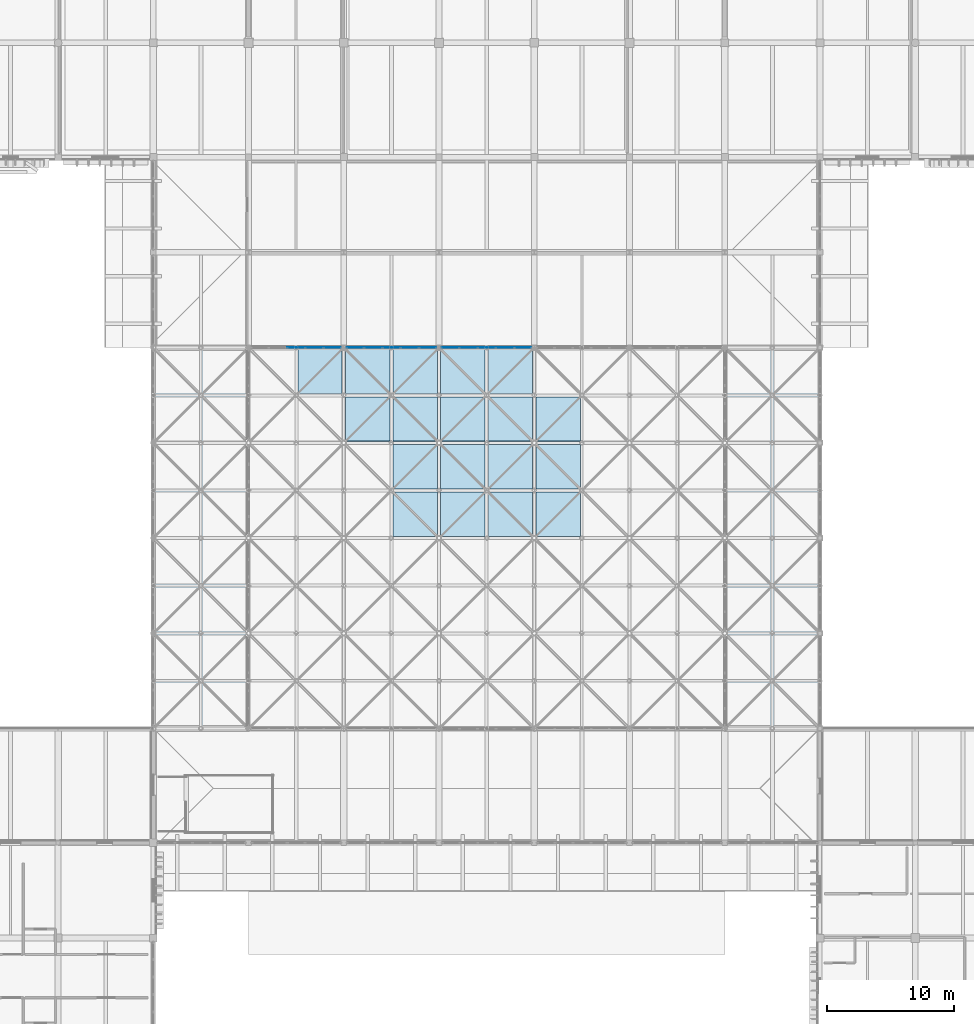
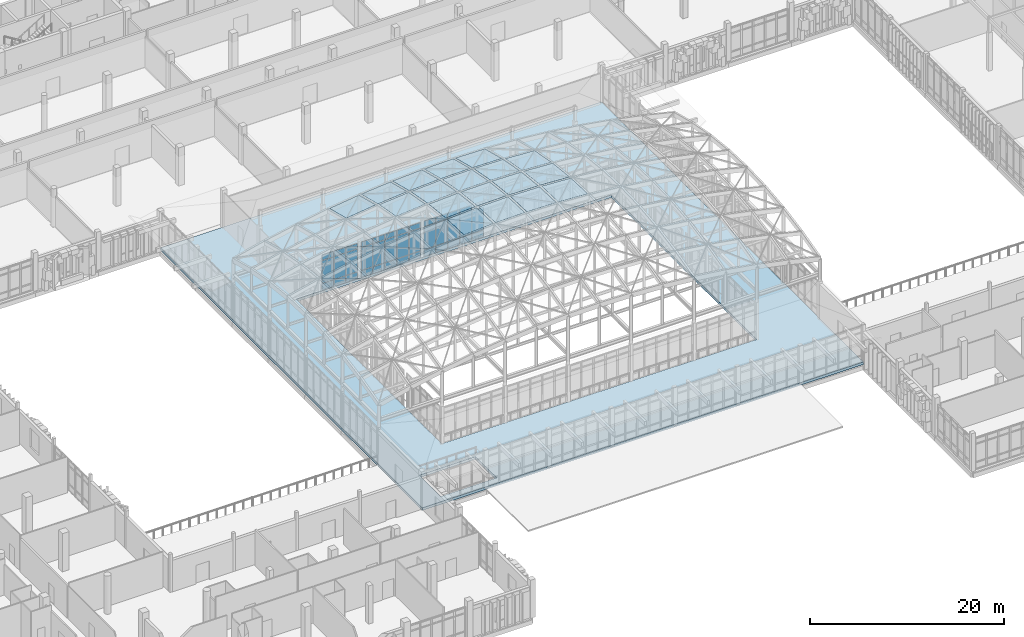
# One storey, part 82 of 131: 56 plates, 1 slab, 4 elements without a shape of their own.
"""IFC4 building model written with IfcOpenShell, lengths in metres."""

from ifc_helpers import new_model, si_unit, direction, frame, origin, origin_2d, place, context, subcontext, project, spatial, polyline, rectangle, outline, extrude, material, layer, layer_set, type_object, element, aggregate, save


model = new_model("IFC4")

# Units and contexts
model_context = context("Model", 3, precision=1e-05, world=origin(), true_north=direction((0.0, 1.0)))
body_context = subcontext(model_context, "Body", "Model", "MODEL_VIEW")
ifc_project = project(units=[si_unit("LENGTHUNIT", "METRE"), si_unit("AREAUNIT", "SQUARE_METRE"), si_unit("VOLUMEUNIT", "CUBIC_METRE"), si_unit("PLANEANGLEUNIT", "RADIAN"), si_unit("MASSUNIT", "GRAM", prefix="KILO")], contexts=[model_context])

# Site, building, storey
site_placement = place(None, origin())
site = spatial("IfcSite", under=ifc_project, at=site_placement, CompositionType="ELEMENT")
building_placement = place(site_placement, origin())
building = spatial("IfcBuilding", under=site, at=building_placement, Name="Dalvernix Boulevard General Hospital", CompositionType="ELEMENT")
storey_placement = place(building_placement, frame((0.0, 0.0, 9.300048828125)))
storey = spatial("IfcBuildingStorey", under=building, at=storey_placement, Name="L02", CompositionType="ELEMENT", Elevation=9.300048828125)

# Curtain wall, plates
ifc_material_1 = material(Name="Thermally broken aluminium and solar-control glass curtain wall", Category="aluminium")
ifc_layer_1 = layer(ifc_material_1, 0.159912109375)
ifc_layer_set_1 = layer_set([ifc_layer_1], Name="Thermally broken aluminium and solar-control glass curtain wall (CW-CW-A-72x46)")
curtain_wall_type_1 = type_object("IfcCurtainWallType", Name="CW-CW-A-72x46", PredefinedType="USERDEFINED", material=ifc_layer_set_1)
curtain_wall_1_placement = place(storey_placement, origin())
curtain_wall_1 = element("IfcCurtainWall", 1, at=curtain_wall_1_placement, inside=storey, type_object=curtain_wall_type_1, Name="L02 curtain wall CW-A-72x46 11-8", ObjectType="GLAZED FACADE", PredefinedType="USERDEFINED")
ifc_material_2 = material(Name="Double-glazed solar-control low-emissivity glass", Category="glass")
ifc_layer_2 = layer(ifc_material_2, 0.02392578125)
ifc_layer_set_2 = layer_set([ifc_layer_2], Name="Double-glazed solar-control low-emissivity glass (PLT-CW-P1)")
plate_type_1 = type_object("IfcPlateType", Name="PLT-CW-P1", PredefinedType="CURTAIN_PANEL", material=ifc_layer_set_2)
plate_1_placement = place(storey_placement, frame((89.10693359375, 61.5, 0.059814453125), z_axis=(0.0, 0.0, 1.0), x_axis=(-1.0, 0.0, 0.0)))
plate_1 = element("IfcPlate", 2, at=plate_1_placement, type_object=plate_type_1, Name="CW-A-72x46 panel 1.1", PredefinedType="CURTAIN_PANEL", context=body_context, shape_type="SweptSolid", body=[
    extrude(rectangle(XDim=1.345947265625, YDim=0.02392578125, at=origin_2d()), origin(), (0.0, 0.0, 1.0), 0.81005859375),
])
plate_2_placement = place(storey_placement, frame((89.10693359375, 61.5, 0.9296875), z_axis=(0.0, 0.0, 1.0), x_axis=(-1.0, 0.0, 0.0)))
plate_2 = element("IfcPlate", 3, at=plate_2_placement, type_object=plate_type_1, Name="CW-A-72x46 panel 1.2", PredefinedType="CURTAIN_PANEL", context=body_context, shape_type="SweptSolid", body=[
    extrude(rectangle(XDim=1.345947265625, YDim=0.02392578125, at=origin_2d()), origin(), (0.0, 0.0, 1.0), 2.840087890625),
])
plate_3_placement = place(storey_placement, frame((87.68603515625, 61.5, 0.059814453125), z_axis=(0.0, 0.0, 1.0), x_axis=(-1.0, 0.0, 0.0)))
plate_3 = element("IfcPlate", 4, at=plate_3_placement, type_object=plate_type_1, Name="CW-A-72x46 panel 2.1", PredefinedType="CURTAIN_PANEL", context=body_context, shape_type="SweptSolid", body=[
    extrude(rectangle(XDim=1.3759765625, YDim=0.02392578125, at=origin_2d()), origin(), (0.0, 0.0, 1.0), 0.81005859375),
])
plate_4_placement = place(storey_placement, frame((87.68603515625, 61.5, 0.9296875), z_axis=(0.0, 0.0, 1.0), x_axis=(-1.0, 0.0, 0.0)))
plate_4 = element("IfcPlate", 5, at=plate_4_placement, type_object=plate_type_1, Name="CW-A-72x46 panel 2.2", PredefinedType="CURTAIN_PANEL", context=body_context, shape_type="SweptSolid", body=[
    extrude(rectangle(XDim=1.3759765625, YDim=0.02392578125, at=origin_2d()), origin(), (0.0, 0.0, 1.0), 2.840087890625),
])
plate_5_placement = place(storey_placement, frame((87.68603515625, 61.5, 3.830078125), z_axis=(0.0, 0.0, 1.0), x_axis=(-1.0, 0.0, 0.0)))
plate_5 = element("IfcPlate", 6, at=plate_5_placement, type_object=plate_type_1, Name="CW-A-72x46 panel 2.3", PredefinedType="CURTAIN_PANEL", context=body_context, shape_type="SweptSolid", body=[
    extrude(rectangle(XDim=1.3759765625, YDim=0.02392578125, at=origin_2d()), origin(), (0.0, 0.0, 1.0), 0.659912109375),
])
plate_6_placement = place(storey_placement, frame((86.25, 61.5, 0.059814453125), z_axis=(0.0, 0.0, 1.0), x_axis=(-1.0, 0.0, 0.0)))
plate_6 = element("IfcPlate", 7, at=plate_6_placement, type_object=plate_type_1, Name="CW-A-72x46 panel 3.1", PredefinedType="CURTAIN_PANEL", context=body_context, shape_type="SweptSolid", body=[
    extrude(rectangle(XDim=1.3759765625, YDim=0.02392578125, at=origin_2d()), origin(), (0.0, 0.0, 1.0), 0.81005859375),
])
plate_7_placement = place(storey_placement, frame((86.25, 61.5, 0.9296875), z_axis=(0.0, 0.0, 1.0), x_axis=(-1.0, 0.0, 0.0)))
plate_7 = element("IfcPlate", 8, at=plate_7_placement, type_object=plate_type_1, Name="CW-A-72x46 panel 3.2", PredefinedType="CURTAIN_PANEL", context=body_context, shape_type="SweptSolid", body=[
    extrude(rectangle(XDim=1.3759765625, YDim=0.02392578125, at=origin_2d()), origin(), (0.0, 0.0, 1.0), 2.840087890625),
])
plate_8_placement = place(storey_placement, frame((86.25, 61.5, 3.830078125), z_axis=(0.0, 0.0, 1.0), x_axis=(-1.0, 0.0, 0.0)))
plate_8 = element("IfcPlate", 9, at=plate_8_placement, type_object=plate_type_1, Name="CW-A-72x46 panel 3.3", PredefinedType="CURTAIN_PANEL", context=body_context, shape_type="SweptSolid", body=[
    extrude(rectangle(XDim=1.3759765625, YDim=0.02392578125, at=origin_2d()), origin(), (0.0, 0.0, 1.0), 0.659912109375),
])
plate_9_placement = place(storey_placement, frame((84.81396484375, 61.5, 0.059814453125), z_axis=(0.0, 0.0, 1.0), x_axis=(-1.0, 0.0, 0.0)))
plate_9 = element("IfcPlate", 10, at=plate_9_placement, type_object=plate_type_1, Name="CW-A-72x46 panel 4.1", PredefinedType="CURTAIN_PANEL", context=body_context, shape_type="SweptSolid", body=[
    extrude(rectangle(XDim=1.3759765625, YDim=0.02392578125, at=origin_2d()), origin(), (0.0, 0.0, 1.0), 0.81005859375),
])
plate_10_placement = place(storey_placement, frame((84.81396484375, 61.5, 0.9296875), z_axis=(0.0, 0.0, 1.0), x_axis=(-1.0, 0.0, 0.0)))
plate_10 = element("IfcPlate", 11, at=plate_10_placement, type_object=plate_type_1, Name="CW-A-72x46 panel 4.2", PredefinedType="CURTAIN_PANEL", context=body_context, shape_type="SweptSolid", body=[
    extrude(rectangle(XDim=1.3759765625, YDim=0.02392578125, at=origin_2d()), origin(), (0.0, 0.0, 1.0), 2.840087890625),
])
plate_11_placement = place(storey_placement, frame((84.81396484375, 61.5, 3.830078125), z_axis=(0.0, 0.0, 1.0), x_axis=(-1.0, 0.0, 0.0)))
plate_11 = element("IfcPlate", 12, at=plate_11_placement, type_object=plate_type_1, Name="CW-A-72x46 panel 4.3", PredefinedType="CURTAIN_PANEL", context=body_context, shape_type="SweptSolid", body=[
    extrude(rectangle(XDim=1.3759765625, YDim=0.02392578125, at=origin_2d()), origin(), (0.0, 0.0, 1.0), 0.659912109375),
])
plate_12_placement = place(storey_placement, frame((83.39306640625, 61.5, 0.059814453125), z_axis=(0.0, 0.0, 1.0), x_axis=(-1.0, 0.0, 0.0)))
plate_12 = element("IfcPlate", 13, at=plate_12_placement, type_object=plate_type_1, Name="CW-A-72x46 panel 5.1", PredefinedType="CURTAIN_PANEL", context=body_context, shape_type="SweptSolid", body=[
    extrude(rectangle(XDim=1.345947265625, YDim=0.02392578125, at=origin_2d()), origin(), (0.0, 0.0, 1.0), 0.81005859375),
])
plate_13_placement = place(storey_placement, frame((83.39306640625, 61.5, 0.9296875), z_axis=(0.0, 0.0, 1.0), x_axis=(-1.0, 0.0, 0.0)))
plate_13 = element("IfcPlate", 14, at=plate_13_placement, type_object=plate_type_1, Name="CW-A-72x46 panel 5.2", PredefinedType="CURTAIN_PANEL", context=body_context, shape_type="SweptSolid", body=[
    extrude(rectangle(XDim=1.345947265625, YDim=0.02392578125, at=origin_2d()), origin(), (0.0, 0.0, 1.0), 2.840087890625),
])
plate_14_placement = place(storey_placement, frame((83.39306640625, 61.5, 3.830078125), z_axis=(0.0, 0.0, 1.0), x_axis=(-1.0, 0.0, 0.0)))
plate_14 = element("IfcPlate", 15, at=plate_14_placement, type_object=plate_type_1, Name="CW-A-72x46 panel 5.3", PredefinedType="CURTAIN_PANEL", context=body_context, shape_type="SweptSolid", body=[
    extrude(rectangle(XDim=1.345947265625, YDim=0.02392578125, at=origin_2d()), origin(), (0.0, 0.0, 1.0), 0.659912109375),
])
aggregate(curtain_wall_1, [plate_1, plate_2, plate_3, plate_4, plate_5, plate_6, plate_7, plate_8, plate_9, plate_10, plate_11, plate_12, plate_13, plate_14])

ifc_layer_3 = layer(ifc_material_1, 0.179931640625)
ifc_layer_set_3 = layer_set([ifc_layer_3], Name="Thermally broken aluminium and solar-control glass curtain wall (CW-CW-B-72x46)")
curtain_wall_type_2 = type_object("IfcCurtainWallType", Name="CW-CW-B-72x46", PredefinedType="USERDEFINED", material=ifc_layer_set_3)
curtain_wall_2_placement = place(storey_placement, origin())
curtain_wall_2 = element("IfcCurtainWall", 16, at=curtain_wall_2_placement, inside=storey, type_object=curtain_wall_type_2, Name="L02 curtain wall CW-B-72x46 9-8", ObjectType="GLAZED FACADE", PredefinedType="USERDEFINED")
ifc_layer_4 = layer(ifc_material_2, 0.028076171875)
ifc_layer_set_4 = layer_set([ifc_layer_4], Name="Double-glazed solar-control low-emissivity glass (PLT-CW-P2)")
plate_type_2 = type_object("IfcPlateType", Name="PLT-CW-P2", PredefinedType="CURTAIN_PANEL", material=ifc_layer_set_4)
plate_15_placement = place(storey_placement, frame((74.105712890625, 61.5, 0.06494140625), z_axis=(0.0, 0.0, 1.0), x_axis=(-1.0, 0.0, 0.0)))
plate_15 = element("IfcPlate", 17, at=plate_15_placement, type_object=plate_type_2, Name="CW-B-72x46 panel 1.1", PredefinedType="CURTAIN_PANEL", context=body_context, shape_type="SweptSolid", body=[
    extrude(rectangle(XDim=1.33837890625, YDim=0.028076171875, at=origin_2d()), origin(), (0.0, 0.0, 1.0), 0.802490234375),
])
plate_16_placement = place(storey_placement, frame((74.105712890625, 61.5, 0.932373046875), z_axis=(0.0, 0.0, 1.0), x_axis=(-1.0, 0.0, 0.0)))
plate_16 = element("IfcPlate", 18, at=plate_16_placement, type_object=plate_type_2, Name="CW-B-72x46 panel 1.2", PredefinedType="CURTAIN_PANEL", context=body_context, shape_type="SweptSolid", body=[
    extrude(rectangle(XDim=1.33837890625, YDim=0.028076171875, at=origin_2d()), origin(), (0.0, 0.0, 1.0), 2.8349609375),
])
plate_17_placement = place(storey_placement, frame((74.105712890625, 61.5, 3.83251953125), z_axis=(0.0, 0.0, 1.0), x_axis=(-1.0, 0.0, 0.0)))
plate_17 = element("IfcPlate", 19, at=plate_17_placement, type_object=plate_type_2, Name="CW-B-72x46 panel 1.3", PredefinedType="CURTAIN_PANEL", context=body_context, shape_type="SweptSolid", body=[
    extrude(rectangle(XDim=1.33837890625, YDim=0.028076171875, at=origin_2d()), origin(), (0.0, 0.0, 1.0), 0.652587890625),
])
plate_18_placement = place(storey_placement, frame((72.68603515625, 61.5, 0.06494140625), z_axis=(0.0, 0.0, 1.0), x_axis=(-1.0, 0.0, 0.0)))
plate_18 = element("IfcPlate", 20, at=plate_18_placement, type_object=plate_type_2, Name="CW-B-72x46 panel 2.1", PredefinedType="CURTAIN_PANEL", context=body_context, shape_type="SweptSolid", body=[
    extrude(rectangle(XDim=1.37109375, YDim=0.028076171875, at=origin_2d()), origin(), (0.0, 0.0, 1.0), 0.802490234375),
])
plate_19_placement = place(storey_placement, frame((72.68603515625, 61.5, 0.932373046875), z_axis=(0.0, 0.0, 1.0), x_axis=(-1.0, 0.0, 0.0)))
plate_19 = element("IfcPlate", 21, at=plate_19_placement, type_object=plate_type_2, Name="CW-B-72x46 panel 2.2", PredefinedType="CURTAIN_PANEL", context=body_context, shape_type="SweptSolid", body=[
    extrude(rectangle(XDim=1.37109375, YDim=0.028076171875, at=origin_2d()), origin(), (0.0, 0.0, 1.0), 2.8349609375),
])
plate_20_placement = place(storey_placement, frame((72.68603515625, 61.5, 3.83251953125), z_axis=(0.0, 0.0, 1.0), x_axis=(-1.0, 0.0, 0.0)))
plate_20 = element("IfcPlate", 22, at=plate_20_placement, type_object=plate_type_2, Name="CW-B-72x46 panel 2.3", PredefinedType="CURTAIN_PANEL", context=body_context, shape_type="SweptSolid", body=[
    extrude(rectangle(XDim=1.37109375, YDim=0.028076171875, at=origin_2d()), origin(), (0.0, 0.0, 1.0), 0.652587890625),
])
plate_21_placement = place(storey_placement, frame((71.25, 61.5, 0.06494140625), z_axis=(0.0, 0.0, 1.0), x_axis=(-1.0, 0.0, 0.0)))
plate_21 = element("IfcPlate", 23, at=plate_21_placement, type_object=plate_type_2, Name="CW-B-72x46 panel 3.1", PredefinedType="CURTAIN_PANEL", context=body_context, shape_type="SweptSolid", body=[
    extrude(rectangle(XDim=1.37109375, YDim=0.028076171875, at=origin_2d()), origin(), (0.0, 0.0, 1.0), 0.802490234375),
])
plate_22_placement = place(storey_placement, frame((71.25, 61.5, 0.932373046875), z_axis=(0.0, 0.0, 1.0), x_axis=(-1.0, 0.0, 0.0)))
plate_22 = element("IfcPlate", 24, at=plate_22_placement, type_object=plate_type_2, Name="CW-B-72x46 panel 3.2", PredefinedType="CURTAIN_PANEL", context=body_context, shape_type="SweptSolid", body=[
    extrude(rectangle(XDim=1.37109375, YDim=0.028076171875, at=origin_2d()), origin(), (0.0, 0.0, 1.0), 2.8349609375),
])
plate_23_placement = place(storey_placement, frame((71.25, 61.5, 3.83251953125), z_axis=(0.0, 0.0, 1.0), x_axis=(-1.0, 0.0, 0.0)))
plate_23 = element("IfcPlate", 25, at=plate_23_placement, type_object=plate_type_2, Name="CW-B-72x46 panel 3.3", PredefinedType="CURTAIN_PANEL", context=body_context, shape_type="SweptSolid", body=[
    extrude(rectangle(XDim=1.37109375, YDim=0.028076171875, at=origin_2d()), origin(), (0.0, 0.0, 1.0), 0.652587890625),
])
aggregate(curtain_wall_2, [plate_15, plate_16, plate_17, plate_18, plate_19, plate_20, plate_21, plate_22, plate_23])

ifc_layer_5 = layer(ifc_material_1, 0.199951171875)
ifc_layer_set_5 = layer_set([ifc_layer_5], Name="Thermally broken aluminium and solar-control glass curtain wall (CW-CW-C-72x46)")
curtain_wall_type_3 = type_object("IfcCurtainWallType", Name="CW-CW-C-72x46", PredefinedType="USERDEFINED", material=ifc_layer_set_5)
curtain_wall_3_placement = place(storey_placement, origin())
curtain_wall_3 = element("IfcCurtainWall", 26, at=curtain_wall_3_placement, inside=storey, type_object=curtain_wall_type_3, Name="L02 curtain wall CW-C-72x46 10-8", ObjectType="GLAZED FACADE", PredefinedType="USERDEFINED")
ifc_layer_6 = layer(ifc_material_2, 0.035888671875)
ifc_layer_set_6 = layer_set([ifc_layer_6], Name="Double-glazed solar-control low-emissivity glass (PLT-CW-P3)")
plate_type_3 = type_object("IfcPlateType", Name="PLT-CW-P3", PredefinedType="CURTAIN_PANEL", material=ifc_layer_set_6)
plate_24_placement = place(storey_placement, frame((81.6044921875, 61.5, 0.070068359375), z_axis=(0.0, 0.0, 1.0), x_axis=(-1.0, 0.0, 0.0)))
plate_24 = element("IfcPlate", 27, at=plate_24_placement, type_object=plate_type_3, Name="CW-C-72x46 panel 1.1", PredefinedType="CURTAIN_PANEL", context=body_context, shape_type="SweptSolid", body=[
    extrude(rectangle(XDim=1.3310546875, YDim=0.035888671875, at=origin_2d()), origin(), (0.0, 0.0, 1.0), 0.794921875),
])
plate_25_placement = place(storey_placement, frame((81.6044921875, 61.5, 0.934814453125), z_axis=(0.0, 0.0, 1.0), x_axis=(-1.0, 0.0, 0.0)))
plate_25 = element("IfcPlate", 28, at=plate_25_placement, type_object=plate_type_3, Name="CW-C-72x46 panel 1.2", PredefinedType="CURTAIN_PANEL", context=body_context, shape_type="SweptSolid", body=[
    extrude(rectangle(XDim=1.3310546875, YDim=0.035888671875, at=origin_2d()), origin(), (0.0, 0.0, 1.0), 2.830078125),
])
plate_26_placement = place(storey_placement, frame((81.6044921875, 61.5, 3.8349609375), z_axis=(0.0, 0.0, 1.0), x_axis=(-1.0, 0.0, 0.0)))
plate_26 = element("IfcPlate", 29, at=plate_26_placement, type_object=plate_type_3, Name="CW-C-72x46 panel 1.3", PredefinedType="CURTAIN_PANEL", context=body_context, shape_type="SweptSolid", body=[
    extrude(rectangle(XDim=1.3310546875, YDim=0.035888671875, at=origin_2d()), origin(), (0.0, 0.0, 1.0), 0.64501953125),
])
plate_27_placement = place(storey_placement, frame((80.18603515625, 61.5, 0.070068359375), z_axis=(0.0, 0.0, 1.0), x_axis=(-1.0, 0.0, 0.0)))
plate_27 = element("IfcPlate", 30, at=plate_27_placement, type_object=plate_type_3, Name="CW-C-72x46 panel 2.1", PredefinedType="CURTAIN_PANEL", context=body_context, shape_type="SweptSolid", body=[
    extrude(rectangle(XDim=1.365966796875, YDim=0.035888671875, at=origin_2d()), origin(), (0.0, 0.0, 1.0), 0.794921875),
])
plate_28_placement = place(storey_placement, frame((80.18603515625, 61.5, 0.934814453125), z_axis=(0.0, 0.0, 1.0), x_axis=(-1.0, 0.0, 0.0)))
plate_28 = element("IfcPlate", 31, at=plate_28_placement, type_object=plate_type_3, Name="CW-C-72x46 panel 2.2", PredefinedType="CURTAIN_PANEL", context=body_context, shape_type="SweptSolid", body=[
    extrude(rectangle(XDim=1.365966796875, YDim=0.035888671875, at=origin_2d()), origin(), (0.0, 0.0, 1.0), 2.830078125),
])
plate_29_placement = place(storey_placement, frame((80.18603515625, 61.5, 3.8349609375), z_axis=(0.0, 0.0, 1.0), x_axis=(-1.0, 0.0, 0.0)))
plate_29 = element("IfcPlate", 32, at=plate_29_placement, type_object=plate_type_3, Name="CW-C-72x46 panel 2.3", PredefinedType="CURTAIN_PANEL", context=body_context, shape_type="SweptSolid", body=[
    extrude(rectangle(XDim=1.365966796875, YDim=0.035888671875, at=origin_2d()), origin(), (0.0, 0.0, 1.0), 0.64501953125),
])
plate_30_placement = place(storey_placement, frame((78.75, 61.5, 0.070068359375), z_axis=(0.0, 0.0, 1.0), x_axis=(-1.0, 0.0, 0.0)))
plate_30 = element("IfcPlate", 33, at=plate_30_placement, type_object=plate_type_3, Name="CW-C-72x46 panel 3.1", PredefinedType="CURTAIN_PANEL", context=body_context, shape_type="SweptSolid", body=[
    extrude(rectangle(XDim=1.365966796875, YDim=0.035888671875, at=origin_2d()), origin(), (0.0, 0.0, 1.0), 0.794921875),
])
plate_31_placement = place(storey_placement, frame((78.75, 61.5, 0.934814453125), z_axis=(0.0, 0.0, 1.0), x_axis=(-1.0, 0.0, 0.0)))
plate_31 = element("IfcPlate", 34, at=plate_31_placement, type_object=plate_type_3, Name="CW-C-72x46 panel 3.2", PredefinedType="CURTAIN_PANEL", context=body_context, shape_type="SweptSolid", body=[
    extrude(rectangle(XDim=1.365966796875, YDim=0.035888671875, at=origin_2d()), origin(), (0.0, 0.0, 1.0), 2.830078125),
])
plate_32_placement = place(storey_placement, frame((78.75, 61.5, 3.8349609375), z_axis=(0.0, 0.0, 1.0), x_axis=(-1.0, 0.0, 0.0)))
plate_32 = element("IfcPlate", 35, at=plate_32_placement, type_object=plate_type_3, Name="CW-C-72x46 panel 3.3", PredefinedType="CURTAIN_PANEL", context=body_context, shape_type="SweptSolid", body=[
    extrude(rectangle(XDim=1.365966796875, YDim=0.035888671875, at=origin_2d()), origin(), (0.0, 0.0, 1.0), 0.64501953125),
])
plate_33_placement = place(storey_placement, frame((77.31396484375, 61.5, 0.070068359375), z_axis=(0.0, 0.0, 1.0), x_axis=(-1.0, 0.0, 0.0)))
plate_33 = element("IfcPlate", 36, at=plate_33_placement, type_object=plate_type_3, Name="CW-C-72x46 panel 4.1", PredefinedType="CURTAIN_PANEL", context=body_context, shape_type="SweptSolid", body=[
    extrude(rectangle(XDim=1.365966796875, YDim=0.035888671875, at=origin_2d()), origin(), (0.0, 0.0, 1.0), 0.794921875),
])
plate_34_placement = place(storey_placement, frame((77.31396484375, 61.5, 0.934814453125), z_axis=(0.0, 0.0, 1.0), x_axis=(-1.0, 0.0, 0.0)))
plate_34 = element("IfcPlate", 37, at=plate_34_placement, type_object=plate_type_3, Name="CW-C-72x46 panel 4.2", PredefinedType="CURTAIN_PANEL", context=body_context, shape_type="SweptSolid", body=[
    extrude(rectangle(XDim=1.365966796875, YDim=0.035888671875, at=origin_2d()), origin(), (0.0, 0.0, 1.0), 2.830078125),
])
plate_35_placement = place(storey_placement, frame((77.31396484375, 61.5, 3.8349609375), z_axis=(0.0, 0.0, 1.0), x_axis=(-1.0, 0.0, 0.0)))
plate_35 = element("IfcPlate", 38, at=plate_35_placement, type_object=plate_type_3, Name="CW-C-72x46 panel 4.3", PredefinedType="CURTAIN_PANEL", context=body_context, shape_type="SweptSolid", body=[
    extrude(rectangle(XDim=1.365966796875, YDim=0.035888671875, at=origin_2d()), origin(), (0.0, 0.0, 1.0), 0.64501953125),
])
plate_36_placement = place(storey_placement, frame((75.8955078125, 61.5, 0.070068359375), z_axis=(0.0, 0.0, 1.0), x_axis=(-1.0, 0.0, 0.0)))
plate_36 = element("IfcPlate", 39, at=plate_36_placement, type_object=plate_type_3, Name="CW-C-72x46 panel 5.1", PredefinedType="CURTAIN_PANEL", context=body_context, shape_type="SweptSolid", body=[
    extrude(rectangle(XDim=1.3310546875, YDim=0.035888671875, at=origin_2d()), origin(), (0.0, 0.0, 1.0), 0.794921875),
])
plate_37_placement = place(storey_placement, frame((75.8955078125, 61.5, 0.934814453125), z_axis=(0.0, 0.0, 1.0), x_axis=(-1.0, 0.0, 0.0)))
plate_37 = element("IfcPlate", 40, at=plate_37_placement, type_object=plate_type_3, Name="CW-C-72x46 panel 5.2", PredefinedType="CURTAIN_PANEL", context=body_context, shape_type="SweptSolid", body=[
    extrude(rectangle(XDim=1.3310546875, YDim=0.035888671875, at=origin_2d()), origin(), (0.0, 0.0, 1.0), 2.830078125),
])
plate_38_placement = place(storey_placement, frame((75.8955078125, 61.5, 3.8349609375), z_axis=(0.0, 0.0, 1.0), x_axis=(-1.0, 0.0, 0.0)))
plate_38 = element("IfcPlate", 41, at=plate_38_placement, type_object=plate_type_3, Name="CW-C-72x46 panel 5.3", PredefinedType="CURTAIN_PANEL", context=body_context, shape_type="SweptSolid", body=[
    extrude(rectangle(XDim=1.3310546875, YDim=0.035888671875, at=origin_2d()), origin(), (0.0, 0.0, 1.0), 0.64501953125),
])
aggregate(curtain_wall_3, [plate_24, plate_25, plate_26, plate_27, plate_28, plate_29, plate_30, plate_31, plate_32, plate_33, plate_34, plate_35, plate_36, plate_37, plate_38])

# Roof, plates
ifc_material_3 = material(Name="Polychrome Catalan glazed terracotta tile roof system", Category="masonry")
roof_type = type_object("IfcRoofType", Name="ROOF-HIP-01", PredefinedType="HIP_ROOF", material=ifc_material_3)
roof_placement = place(storey_placement, origin())
roof = element("IfcRoof", 42, at=roof_placement, inside=storey, type_object=roof_type, Name="V1 Arrival Hall and Botanical Conservatory Dome Vault Gridshell Roof", PredefinedType="HIP_ROOF")
ifc_material_4 = material(Name="Laminated solar-control glass", Category="glass")
ifc_layer_7 = layer(ifc_material_4, 0.031982421875)
ifc_layer_set_7 = layer_set([ifc_layer_7], Name="Laminated solar-control glass (PLT-GP-01)")
plate_type_4 = type_object("IfcPlateType", Name="PLT-GP-01", PredefinedType="SHEET", material=ifc_layer_set_7)
plate_39_placement = place(storey_placement, frame((71.3798828125, 57.8798828125, 11.042724609375), z_axis=(-0.124437606637, 0.246656714614, 0.961080510254), x_axis=(0.991721820954, 0.0, 0.128404944781)))
plate_39 = element("IfcPlate", 43, at=plate_39_placement, type_object=plate_type_4, Name="Gridshell solar-control glazing panel 4-8", PredefinedType="SHEET", context=body_context, shape_type="SweptSolid", body=[
    extrude(outline(polyline([(0.0, 0.0), (3.519368336216846, 1.3877787807814457e-17), (3.4043493561385922, 3.601510542561364), (-0.1150189800782534, 3.601510542561364), (0.0, 0.0)])), origin(), (0.0, 0.0, -1.0), 0.031982421875),
])
plate_40_placement = place(storey_placement, frame((75.1298828125, 54.1298828125, 12.220458984375), z_axis=(-0.090617984685, 0.179557224096, 0.979564997398), x_axis=(0.995748264612, -6.125476e-06, 0.092116195562)))
plate_40 = element("IfcPlate", 44, at=plate_40_placement, type_object=plate_type_4, Name="Gridshell solar-control glazing panel 5-7", PredefinedType="SHEET", context=body_context, shape_type="SweptSolid", body=[
    extrude(outline(polyline([(0.0, 0.0), (3.5051481732472216, 6.938893903907228e-18), (3.4461823240362492, 3.5479179131287064), (-0.058943359905414966, 3.5478742624355393), (0.0, 0.0)])), origin(), (0.0, 0.0, -1.0), 0.031982421875),
])
plate_41_placement = place(storey_placement, frame((75.1298828125, 57.8798828125, 11.5234375), z_axis=(-0.089280380213, 0.247596156464, 0.964740979234), x_axis=(0.99574517266, 0.0, 0.092149612719)))
plate_41 = element("IfcPlate", 45, at=plate_41_placement, type_object=plate_type_4, Name="Gridshell solar-control glazing panel 5-8", PredefinedType="SHEET", context=body_context, shape_type="SweptSolid", body=[
    extrude(outline(polyline([(0.0, 0.0), (3.505148175286846, 0.0), (3.42260497971419, 3.602401167946672), (-0.08254319557265632, 3.602401167946672), (0.0, 0.0)])), origin(), (0.0, 0.0, -1.0), 0.031982421875),
])
plate_42_placement = place(storey_placement, frame((78.8798828125, 46.6298828125, 13.1318359375), z_axis=(-0.055347866182, 0.036572864917, 0.997797093231), x_axis=(0.998465077363, 0.0, 0.055384919303)))
plate_42 = element("IfcPlate", 46, at=plate_42_placement, type_object=plate_type_4, Name="Gridshell solar-control glazing panel 6-5", PredefinedType="SHEET", context=body_context, shape_type="SweptSolid", body=[
    extrude(outline(polyline([(0.0, 0.0), (3.4955998503395667, 0.0), (3.488514474920981, 3.492570943421288), (-0.007085375418585642, 3.4925709434212884), (0.0, 0.0)])), origin(), (0.0, 0.0, -1.0), 0.031982421875),
])
plate_43_placement = place(storey_placement, frame((78.8798828125, 50.3798828125, 12.98486328125), z_axis=(-0.055053676914, 0.109204834535, 0.992493524801), x_axis=(0.998465077363, 0.0, 0.055384919303)))
plate_43 = element("IfcPlate", 47, at=plate_43_placement, type_object=plate_type_4, Name="Gridshell solar-control glazing panel 6-6", PredefinedType="SHEET", context=body_context, shape_type="SweptSolid", body=[
    extrude(outline(polyline([(0.0, 0.0), (3.4955998503395667, 0.0), (3.4743302023749956, 3.511234127142414), (-0.021269647964571023, 3.511234127142414), (0.0, 0.0)])), origin(), (0.0, 0.0, -1.0), 0.031982421875),
])
plate_44_placement = place(storey_placement, frame((78.8798828125, 54.1298828125, 12.562744140625), z_axis=(-0.054514227539, 0.180030917789, 0.982149208438), x_axis=(0.998463208234, 6.174658e-06, 0.055418604857)))
plate_44 = element("IfcPlate", 48, at=plate_44_placement, type_object=plate_type_4, Name="Gridshell solar-control glazing panel 6-7", PredefinedType="SHEET", context=body_context, shape_type="SweptSolid", body=[
    extrude(outline(polyline([(0.0, 0.0), (3.4955998482835655, 0.0), (3.4601729752818025, 3.548187007236687), (-0.03544040293458948, 3.5482308926332595), (0.0, 0.0)])), origin(), (0.0, 0.0, -1.0), 0.031982421875),
])
plate_45_placement = place(storey_placement, frame((78.8798828125, 57.8798828125, 11.86572265625), z_axis=(-0.05368470132, 0.248262144287, 0.967204146268), x_axis=(0.998463026489, -8.385236e-06, 0.055421878927)))
plate_45 = element("IfcPlate", 49, at=plate_45_placement, type_object=plate_type_4, Name="Gridshell solar-control glazing panel 6-8", PredefinedType="SHEET", context=body_context, shape_type="SweptSolid", body=[
    extrude(outline(polyline([(0.0, 0.0), (3.4956133785539647, 0.0), (3.445926325086213, 3.6030648308384343), (-0.049673522735591134, 3.603004313230576), (0.0, 0.0)])), origin(), (0.0, 0.0, -1.0), 0.031982421875),
])
plate_46_placement = place(storey_placement, frame((82.6298828125, 46.6298828125, 13.335205078125), z_axis=(-0.018486079754, 0.036657651535, 0.999156885298), x_axis=(0.999828888738, 1.280795e-06, 0.018498465955)))
plate_46 = element("IfcPlate", 50, at=plate_46_placement, type_object=plate_type_4, Name="Gridshell solar-control glazing panel 7-5", PredefinedType="SHEET", context=body_context, shape_type="SweptSolid", body=[
    extrude(outline(polyline([(0.0, 0.0), (3.4908294405309834, -4.336808689942018e-19), (3.48846740783816, 3.492577329609325), (-0.002366548919862882, 3.492586277705681), (0.0, 0.0)])), origin(), (0.0, 0.0, -1.0), 0.031982421875),
])
plate_47_placement = place(storey_placement, frame((82.6298828125, 50.3798828125, 13.18798828125), z_axis=(-0.018387648427, 0.10931787203, 0.993836755831), x_axis=(0.999828880134, -3.799156e-06, 0.018498930678)))
plate_47 = element("IfcPlate", 51, at=plate_47_placement, type_object=plate_type_4, Name="Gridshell solar-control glazing panel 7-6", PredefinedType="SHEET", context=body_context, shape_type="SweptSolid", body=[
    extrude(outline(polyline([(0.0, 0.0), (3.4908339567921223, 8.673617379884035e-19), (3.4837164932459097, 3.511291332334688), (-0.007112947205715258, 3.511264647985149), (0.0, 0.0)])), origin(), (0.0, 0.0, -1.0), 0.031982421875),
])
plate_48_placement = place(storey_placement, frame((82.6298828125, 54.1298828125, 12.76611328125), z_axis=(-0.01819545764, 0.180269174845, 0.983449007281), x_axis=(0.999828908868, 6.199473e-06, 0.018497376936)))
plate_48 = element("IfcPlate", 52, at=plate_48_placement, type_object=plate_type_4, Name="Gridshell solar-control glazing panel 7-7", PredefinedType="SHEET", context=body_context, shape_type="SweptSolid", body=[
    extrude(outline(polyline([(0.0, 0.0), (3.4908294405974525, -1.734723475976807e-18), (3.479019259954768, 3.5483442083948167), (-0.01181469660385049, 3.5483882119214742), (0.0, 0.0)])), origin(), (0.0, 0.0, -1.0), 0.031982421875),
])
plate_49_placement = place(storey_placement, frame((82.6298828125, 57.8798828125, 12.069091796875), z_axis=(-0.01788415654, 0.248549130099, 0.968454173862), x_axis=(0.99982953402, 0.0, 0.018463556028)))
plate_49 = element("IfcPlate", 53, at=plate_49_placement, type_object=plate_type_4, Name="Gridshell solar-control glazing panel 7-8", PredefinedType="SHEET", context=body_context, shape_type="SweptSolid", body=[
    extrude(outline(polyline([(0.0, 0.0), (3.4908294426617164, 3.469446951953614e-18), (3.4742906762876884, 3.603308760454164), (-0.016538766374027795, 3.603308760454164), (0.0, 0.0)])), origin(), (0.0, 0.0, -1.0), 0.031982421875),
])
plate_50_placement = place(storey_placement, frame((86.3798828125, 46.6298828125, 13.399658203125), z_axis=(0.018486079754, 0.036657651535, 0.999156885298), x_axis=(0.999828888738, -1.280795e-06, -0.018498465955)))
plate_50 = element("IfcPlate", 54, at=plate_50_placement, type_object=plate_type_4, Name="Gridshell solar-control glazing panel 8-5", PredefinedType="SHEET", context=body_context, shape_type="SweptSolid", body=[
    extrude(outline(polyline([(0.0, 0.0), (3.4908294405309834, 4.336808689942018e-19), (3.493195989450846, 3.492586277705681), (0.002362032692823063, 3.492577329609325), (0.0, 0.0)])), origin(), (0.0, 0.0, -1.0), 0.031982421875),
])
plate_51_placement = place(storey_placement, frame((86.3798828125, 50.3798828125, 13.252685546875), z_axis=(0.018387648427, 0.10931787203, 0.993836755831), x_axis=(0.999828880134, 3.799156e-06, -0.018498930678)))
plate_51 = element("IfcPlate", 55, at=plate_51_placement, type_object=plate_type_4, Name="Gridshell solar-control glazing panel 8-6", PredefinedType="SHEET", context=body_context, shape_type="SweptSolid", body=[
    extrude(outline(polyline([(0.0, 0.0), (3.4908339567921223, -8.673617379884035e-19), (3.4979469039978377, 3.5112646479851484), (0.00711746354621273, 3.511291332334688), (0.0, 0.0)])), origin(), (0.0, 0.0, -1.0), 0.031982421875),
])
plate_52_placement = place(storey_placement, frame((86.3798828125, 54.1298828125, 12.83056640625), z_axis=(0.01819545764, 0.180269174845, 0.983449007281), x_axis=(0.999828908868, -6.199473e-06, -0.018497376936)))
plate_52 = element("IfcPlate", 56, at=plate_52_placement, type_object=plate_type_4, Name="Gridshell solar-control glazing panel 8-7", PredefinedType="SHEET", context=body_context, shape_type="SweptSolid", body=[
    extrude(outline(polyline([(0.0, 0.0), (3.4908294405974525, 1.734723475976807e-18), (3.502644137201303, 3.548388211921474), (0.011810180642684463, 3.5483442083948162), (0.0, 0.0)])), origin(), (0.0, 0.0, -1.0), 0.031982421875),
])
plate_53_placement = place(storey_placement, frame((86.3798828125, 57.8798828125, 12.133544921875), z_axis=(0.01788415654, 0.248549130099, 0.968454173862), x_axis=(0.99982953402, 0.0, -0.018463556028)))
plate_53 = element("IfcPlate", 57, at=plate_53_placement, type_object=plate_type_4, Name="Gridshell solar-control glazing panel 8-8", PredefinedType="SHEET", context=body_context, shape_type="SweptSolid", body=[
    extrude(outline(polyline([(0.0, 0.0), (3.4908294426617164, -3.469446951953614e-18), (3.5073682090357443, 3.603308760454164), (0.016538766374027795, 3.603308760454164), (0.0, 0.0)])), origin(), (0.0, 0.0, -1.0), 0.031982421875),
])
plate_54_placement = place(storey_placement, frame((90.1298828125, 46.6298828125, 13.325439453125), z_axis=(0.055347866182, 0.036572864917, 0.997797093231), x_axis=(0.998465077363, 0.0, -0.055384919303)))
plate_54 = element("IfcPlate", 58, at=plate_54_placement, type_object=plate_type_4, Name="Gridshell solar-control glazing panel 9-5", PredefinedType="SHEET", context=body_context, shape_type="SweptSolid", body=[
    extrude(outline(polyline([(0.0, 0.0), (3.4955998503395667, 0.0), (3.502685225758152, 3.4925709434212884), (0.007085375418585642, 3.4925709434212884), (0.0, 0.0)])), origin(), (0.0, 0.0, -1.0), 0.031982421875),
])
plate_55_placement = place(storey_placement, frame((90.1298828125, 50.3798828125, 13.178466796875), z_axis=(0.055053676914, 0.109204834535, 0.992493524801), x_axis=(0.998465077363, 0.0, -0.055384919303)))
plate_55 = element("IfcPlate", 59, at=plate_55_placement, type_object=plate_type_4, Name="Gridshell solar-control glazing panel 9-6", PredefinedType="SHEET", context=body_context, shape_type="SweptSolid", body=[
    extrude(outline(polyline([(0.0, 0.0), (3.4955998503395667, 0.0), (3.5168694983041378, 3.511234127142414), (0.021269647964571023, 3.511234127142414), (0.0, 0.0)])), origin(), (0.0, 0.0, -1.0), 0.031982421875),
])
plate_56_placement = place(storey_placement, frame((90.1298828125, 54.1298828125, 12.75634765625), z_axis=(0.054514227539, 0.180030917789, 0.982149208438), x_axis=(0.998463208234, -6.174658e-06, -0.055418604857)))
plate_56 = element("IfcPlate", 60, at=plate_56_placement, type_object=plate_type_4, Name="Gridshell solar-control glazing panel 9-7", PredefinedType="SHEET", context=body_context, shape_type="SweptSolid", body=[
    extrude(outline(polyline([(0.0, 0.0), (3.4955998482835655, 0.0), (3.531040251218155, 3.5482308926332595), (0.03542687300176294, 3.5481870072366863), (0.0, 0.0)])), origin(), (0.0, 0.0, -1.0), 0.031982421875),
])
aggregate(roof, [plate_39, plate_40, plate_41, plate_42, plate_43, plate_44, plate_45, plate_46, plate_47, plate_48, plate_49, plate_50, plate_51, plate_52, plate_53, plate_54, plate_55, plate_56])

# Slab
ifc_material_5 = material(Name="Concrete C35/45", Category="concrete")
ifc_layer_8 = layer(ifc_material_5, 0.320068359375)
ifc_layer_set_8 = layer_set([ifc_layer_8], Name="Concrete C35/45 (SLB-FS-02)")
slab_type = type_object("IfcSlabType", Name="SLB-FS-02", PredefinedType="FLOOR", material=ifc_layer_set_8)
slab_placement = place(storey_placement, frame((0.0, 0.0, -0.320068359375)))
element("IfcSlab", 61, at=slab_placement, inside=storey, type_object=slab_type, Name="L02 V1 structural floor slab 1", PredefinedType="FLOOR", context=body_context, shape_type="SweptSolid", body=[
    extrude(outline(polyline([(60.0, 54.0), (60.0, 61.5), (60.0, 69.0), (60.0, 76.5), (67.5, 76.5), (75.0, 76.5), (82.5, 76.5), (90.0, 76.5), (97.5, 76.5), (105.0, 76.5), (112.5, 76.5), (112.5, 69.0), (112.5, 61.5), (112.5, 54.0), (112.5, 46.5), (112.5, 39.0), (112.5, 31.5), (112.5, 22.5), (105.0, 22.5), (97.5, 22.5), (90.0, 22.5), (82.5, 22.5), (75.0, 22.5), (67.5, 22.5), (60.0, 22.5), (60.0, 31.5), (60.0, 39.0), (60.0, 46.5), (60.0, 54.0)]), holes=[polyline([(75.0, 61.5), (67.5, 61.5), (67.5, 54.0), (67.5, 46.5), (67.5, 39.0), (67.5, 31.5), (75.0, 31.5), (82.5, 31.5), (90.0, 31.5), (97.5, 31.5), (105.0, 31.5), (105.0, 39.0), (105.0, 46.5), (105.0, 54.0), (105.0, 61.5), (97.5, 61.5), (90.0, 61.5), (82.5, 61.5), (75.0, 61.5)]), polyline([(69.35009765625, 27.75), (62.659912109375, 27.75), (62.659912109375, 23.35009765625), (69.35009765625, 23.35009765625), (69.35009765625, 27.75)])]), origin(), (0.0, 0.0, 1.0), 0.320068359375),
])

save(model, "model.ifc")
